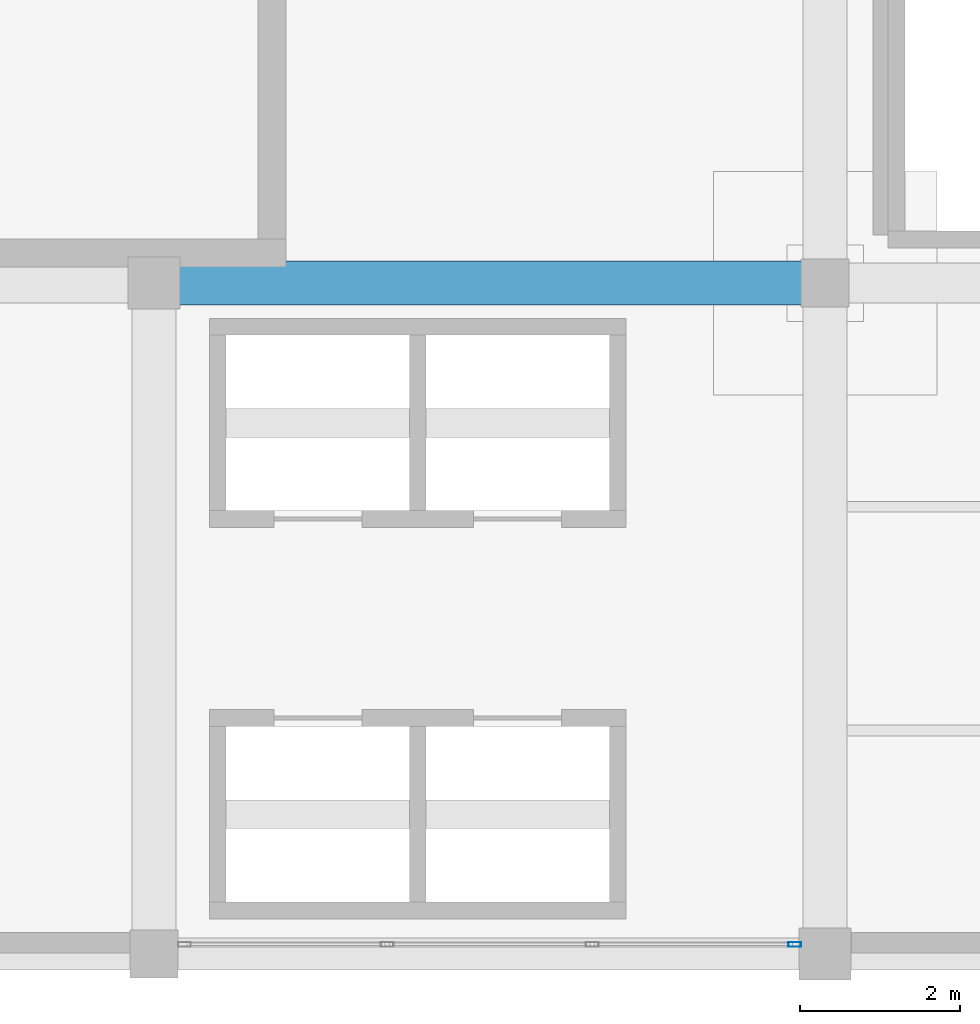
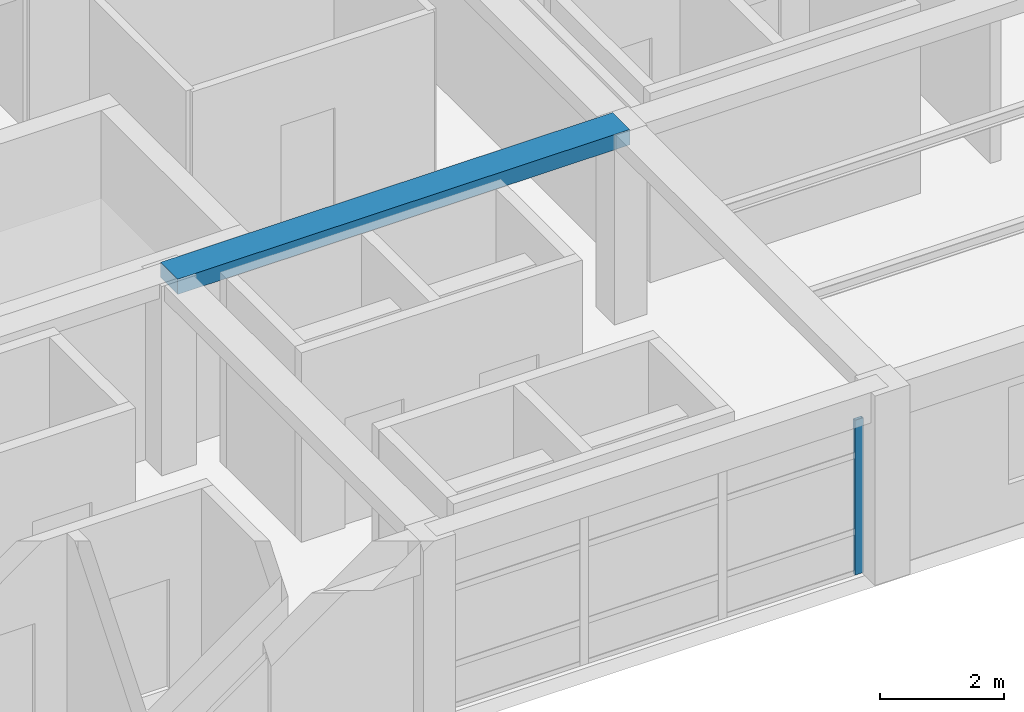
# One storey, part 5 of 26: 1 beam, 1 member, 1 element without a shape of its own.
"""IFC4 building model written with IfcOpenShell, lengths in metres."""

from ifc_helpers import new_model, si_unit, direction, frame, origin, origin_2d, place, context, subcontext, project, spatial, rectangle, hollow_rectangle, extrude, material, material_profile, profile_set, type_object, element, aggregate, save


model = new_model("IFC4")

# Units and contexts
model_context = context("Model", 3, precision=1e-05, world=origin(), true_north=direction((0.0, 1.0)))
body_context = subcontext(model_context, "Body", "Model", "MODEL_VIEW")
ifc_project = project(units=[si_unit("LENGTHUNIT", "METRE"), si_unit("AREAUNIT", "SQUARE_METRE"), si_unit("VOLUMEUNIT", "CUBIC_METRE"), si_unit("PLANEANGLEUNIT", "RADIAN"), si_unit("MASSUNIT", "GRAM", prefix="KILO")], contexts=[model_context])

# Site, building, storey
site_placement = place(None, origin())
site = spatial("IfcSite", under=ifc_project, at=site_placement, CompositionType="ELEMENT")
building_placement = place(site_placement, origin())
building = spatial("IfcBuilding", under=site, at=building_placement, Name="Almacenes y Pasaje Nevantli", CompositionType="ELEMENT")
storey_placement = place(building_placement, frame((0.0, 0.0, 46.699951171875)))
storey = spatial("IfcBuildingStorey", under=building, at=storey_placement, Name="L11", CompositionType="ELEMENT", Elevation=46.699951171875)

# Beam
ifc_material_1 = material(Name="Concrete C35/45", Category="concrete")
ifc_material_profile_1 = material_profile(ifc_material_1, rectangle(XDim=0.550048828125, YDim=0.300048828125, at=origin_2d()), Name="RC-BM-550x300")
ifc_profile_set_1 = profile_set([ifc_material_profile_1], Name="Concrete C35/45")
beam_type = type_object("IfcBeamType", Name="BM-RC-550x300", PredefinedType="BEAM", material=ifc_profile_set_1)
beam_placement = place(storey_placement, frame((126.0, 75.60009765625, 3.570068359375), z_axis=(1.0, 0.0, 0.0), x_axis=(0.0, 1.0, 0.0)))
element("IfcBeam", 1, at=beam_placement, inside=storey, type_object=beam_type, Name="L11 East-West Reinforced Concrete Beam #3850", PredefinedType="BEAM", context=body_context, shape_type="SweptSolid", body=[
    extrude(rectangle(XDim=0.550048828125, YDim=0.300048828125, at=origin_2d()), origin(), (0.0, 0.0, 1.0), 8.39990234375),
])

# Curtain wall, member
ifc_material_2 = material(Name="Thermally Broken Aluminium and Low-E Glass", Category="aluminium")
curtain_wall_type = type_object("IfcCurtainWallType", Name="CW-UNIT-TOWER", PredefinedType="USERDEFINED", material=ifc_material_2)
curtain_wall_placement = place(storey_placement, origin())
curtain_wall = element("IfcCurtainWall", 2, at=curtain_wall_placement, inside=storey, type_object=curtain_wall_type, Name="L11 Tower South Unitized Curtain Wall Bay 16", ObjectType="UNITIZED CURTAIN WALL", PredefinedType="USERDEFINED")
ifc_material_3 = material(Name="Thermally Broken Anodized Aluminium", Category="aluminium")
ifc_material_profile_2 = material_profile(ifc_material_3, hollow_rectangle(XDim=0.06005859375, YDim=0.159912109375, WallThickness=0.00390625, at=origin_2d()), Name="ALU-MUL-60x160")
ifc_profile_set_2 = profile_set([ifc_material_profile_2], Name="Thermally Broken Anodized Aluminium")
member_type = type_object("IfcMemberType", Name="CW-MUL-180", PredefinedType="MULLION", material=ifc_profile_set_2)
member_placement = place(storey_placement, frame((134.02001953125, 67.320068359375, 0.0), z_axis=(0.0, 0.0, 1.0), x_axis=(0.0, 1.0, 0.0)))
member = element("IfcMember", 3, at=member_placement, type_object=member_type, Name="CW-L11-151 mullion 4", PredefinedType="MULLION", context=body_context, shape_type="SweptSolid", body=[
    extrude(hollow_rectangle(XDim=0.06005859375, YDim=0.159912109375, WallThickness=0.00390625, at=origin_2d()), origin(), (0.0, 0.0, 1.0), 3.0400390625),
])
aggregate(curtain_wall, [member])

save(model, "model.ifc")
